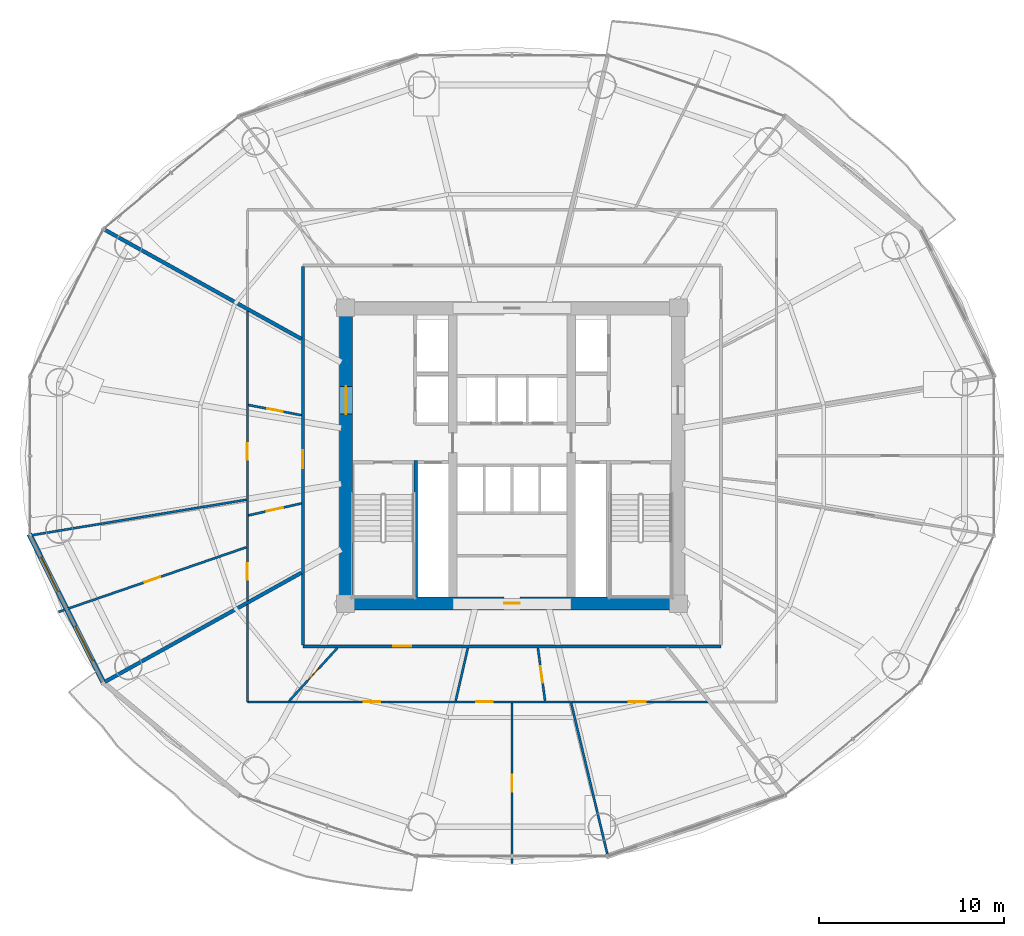
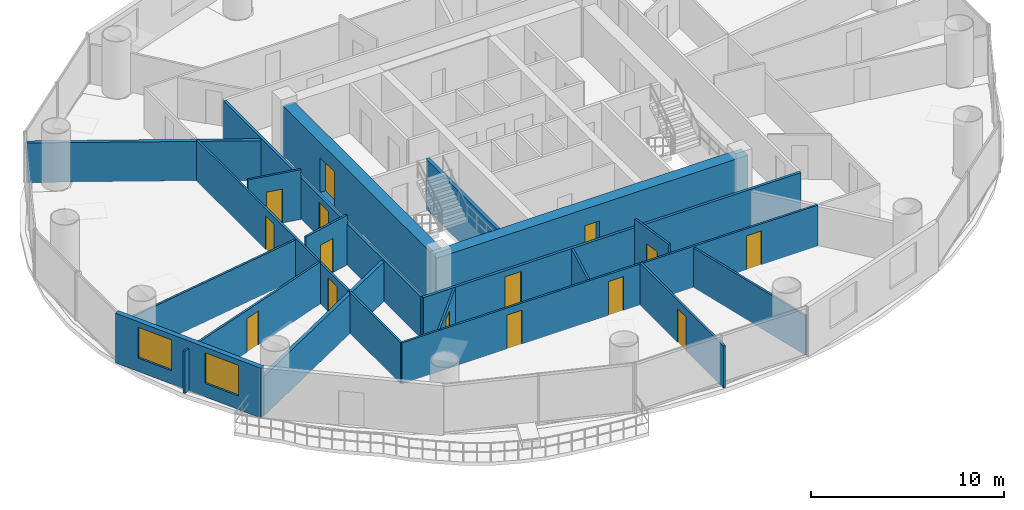
# One storey, part 22 of 29: 20 walls, 15 doors, 2 windows, 17 openings.
"""IFC4 building model written with IfcOpenShell, lengths in metres."""

from ifc_helpers import new_model, si_unit, direction, frame, frame_2d, origin, place, context, subcontext, project, spatial, rectangle, extrude, source, transform, mapped, material, layer, layer_set, type_object, element, fill, save


model = new_model("IFC4")

# Units and contexts
model_context = context("Model", 3, precision=1e-05, world=origin(), true_north=direction((-0.2419218956, 0.970295726276)))
body_context = subcontext(model_context, "Body", "Model", "MODEL_VIEW")
ifc_project = project(units=[si_unit("LENGTHUNIT", "METRE"), si_unit("AREAUNIT", "SQUARE_METRE"), si_unit("VOLUMEUNIT", "CUBIC_METRE"), si_unit("PLANEANGLEUNIT", "RADIAN"), si_unit("MASSUNIT", "GRAM", prefix="KILO")], contexts=[model_context])

# Site, building, storey
site_placement = place(None, origin())
site = spatial("IfcSite", under=ifc_project, at=site_placement, CompositionType="ELEMENT")
building_placement = place(site_placement, origin())
building = spatial("IfcBuilding", under=site, at=building_placement, Name="Cobrevalo Terracotta Tower", CompositionType="ELEMENT")
storey_placement = place(building_placement, frame((0.0, 0.0, 126.60009765625)))
storey = spatial("IfcBuildingStorey", under=building, at=storey_placement, Name="L33", CompositionType="ELEMENT", Elevation=126.60009765625)

# Wall, opening, door
ifc_material_1 = material(Name="Concrete C60", Category="concrete")
ifc_layer_1 = layer(ifc_material_1, 0.699951171875)
ifc_layer_set_1 = layer_set([ifc_layer_1], Name="Concrete C60")
wall_type_1 = type_object("IfcWallType", Name="Core shear wall 700 mm Concrete C60", PredefinedType="SHEAR", material=ifc_layer_set_1)
wall_1_placement = place(storey_placement, frame((28.675048828125, 18.824951171875, 0.0), z_axis=(0.0, 0.0, 1.0), x_axis=(1.0, 0.0, 0.0)))
wall_1 = element("IfcWall", 1, at=wall_1_placement, inside=storey, type_object=wall_type_1, Name="L33 south core shear wall", PredefinedType="SHEAR", context=body_context, shape_type="SweptSolid", body=[
    extrude(rectangle(XDim=18.64990234375, YDim=0.699951171875, at=frame_2d((9.324951171875, 0.0))), origin(), (0.0, 0.0, 1.0), 3.14990234375),
])
opening_1_placement = place(wall_1_placement, frame((8.89990234375, 0.0, 0.0)))
opening_1 = element("IfcOpeningElement", 2, at=opening_1_placement, cuts=wall_1, Name="Opening ID-22", PredefinedType="OPENING", context=body_context, shape_type="SweptSolid", body=[
    extrude(rectangle(XDim=0.85009765625, YDim=2.10009765625, at=frame_2d((0.425048828125, 1.050048828125))), frame((0.0, 0.35986328125, 0.0), z_axis=(0.0, -1.0, 0.0), x_axis=(1.0, 0.0, 0.0)), (0.0, 0.0, 1.0), 0.719970703125),
])
ifc_material_2 = material(Name="Powder-coated steel", Category="steel")
door_type_1 = type_object("IfcDoorType", Name="Riser shaft & meter closet fire access door 850x2100 EI 60", OperationType="NOTDEFINED", PredefinedType="DOOR", material=ifc_material_2)
shared_shape_1 = source(origin(), body_context, "Body", "SweptSolid", [
    extrude(rectangle(XDim=0.85009765625, YDim=2.10009765625, at=frame_2d((0.425048828125, 1.050048828125))), frame((0.0, 0.02490234375, 0.0), z_axis=(0.0, -1.0, 0.0), x_axis=(1.0, 0.0, 0.0)), (0.0, 0.0, 1.0), 0.050048828125),
])
door_1_placement = place(opening_1_placement, origin())
door_1 = element("IfcDoor", 3, at=door_1_placement, inside=storey, type_object=door_type_1, Name="L33 core south plant door Smoke Extract Fan Plant", OperationType="SINGLE_SWING_RIGHT", OverallHeight=2.10009765625, OverallWidth=0.85009765625, PredefinedType="DOOR", context=body_context, shape_type="MappedRepresentation", body=[
    mapped(shared_shape_1, transform((0.0, 0.0, 0.0), scale=1.0)),
])
fill(opening_1, door_1)

wall_2_placement = place(storey_placement, frame((29.02490234375, 19.175048828125, 0.0), z_axis=(0.0, 0.0, 1.0), x_axis=(0.0, 1.0, 0.0)))
wall_2 = element("IfcWall", 4, at=wall_2_placement, inside=storey, type_object=wall_type_1, Name="L33 west core shear wall", PredefinedType="SHEAR", context=body_context, shape_type="SweptSolid", body=[
    extrude(rectangle(XDim=15.25, YDim=0.699951171875, at=frame_2d((7.625, 0.0))), origin(), (0.0, 0.0, 1.0), 3.14990234375),
])
opening_2_placement = place(wall_2_placement, frame((9.875, 0.0, 0.0)))
opening_2 = element("IfcOpeningElement", 5, at=opening_2_placement, cuts=wall_2, Name="Opening ID-14", PredefinedType="OPENING", context=body_context, shape_type="SweptSolid", body=[
    extrude(rectangle(XDim=1.5, YDim=2.199951171875, at=frame_2d((0.75, 1.10009765625))), frame((0.0, 0.35986328125, 0.0), z_axis=(0.0, -1.0, 0.0), x_axis=(1.0, 0.0, 0.0)), (0.0, 0.0, 1.0), 0.719970703125),
])
ifc_material_3 = material(Name="Galvanized fire-rated steel", Category="steel")
door_type_2 = type_object("IfcDoorType", Name="Core cross-lobby double fire door 1500x2200 EI 90", OperationType="NOTDEFINED", PredefinedType="DOOR", material=ifc_material_3)
shared_shape_2 = source(origin(), body_context, "Body", "SweptSolid", [
    extrude(rectangle(XDim=1.5, YDim=2.199951171875, at=frame_2d((0.75, 1.10009765625))), frame((0.0, 0.02490234375, 0.0), z_axis=(0.0, -1.0, 0.0), x_axis=(1.0, 0.0, 0.0)), (0.0, 0.0, 1.0), 0.050048828125),
])
door_2_placement = place(opening_2_placement, origin())
door_2 = element("IfcDoor", 6, at=door_2_placement, inside=storey, type_object=door_type_2, Name="L33 west firefighting lobby entrance door", OperationType="DOUBLE_DOOR_SINGLE_SWING", OverallHeight=2.199951171875, OverallWidth=1.5, PredefinedType="DOOR", context=body_context, shape_type="MappedRepresentation", body=[
    mapped(shared_shape_2, transform((0.0, 0.0, 0.0), scale=1.0)),
])
fill(opening_2, door_2)

ifc_material_4 = material(Name="Gypsum board on steel stud", Category="steel")
ifc_layer_2 = layer(ifc_material_4, 0.159912109375)
ifc_layer_set_2 = layer_set([ifc_layer_2], Name="Gypsum board on steel stud")
wall_type_2 = type_object("IfcWallType", Name="Fire-rated corridor acoustic partition wall 160 mm", PredefinedType="PARTITIONING", material=ifc_layer_set_2)
wall_3_placement = place(storey_placement, frame((26.695068359375, 16.4951171875, 0.0), z_axis=(0.0, 0.0, 1.0), x_axis=(1.0, 0.0, 0.0)))
wall_3 = element("IfcWall", 7, at=wall_3_placement, inside=storey, type_object=wall_type_2, Name="L33 interior partition IW-L33-COR-S", PredefinedType="PARTITIONING", context=body_context, shape_type="SweptSolid", body=[
    extrude(rectangle(XDim=22.60986328125, YDim=0.159912109375, at=frame_2d((11.304931640625, 0.0))), origin(), (0.0, 0.0, 1.0), 2.595947265625),
])
opening_3_placement = place(wall_3_placement, frame((4.88330078125, 0.0, 0.0)))
opening_3 = element("IfcOpeningElement", 8, at=opening_3_placement, cuts=wall_3, Name="Opening ID-05", PredefinedType="OPENING", context=body_context, shape_type="SweptSolid", body=[
    extrude(rectangle(XDim=0.97998046875, YDim=2.199951171875, at=frame_2d((0.489990234375, 1.10009765625))), frame((0.0, 0.08984375, 0.0), z_axis=(0.0, -1.0, 0.0), x_axis=(1.0, 0.0, 0.0)), (0.0, 0.0, 1.0), 0.179931640625),
])
ifc_material_5 = material(Name="Solid hardwood timber", Category="wood")
door_type_3 = type_object("IfcDoorType", Name="Residence entrance fire-rated acoustic timber door 980x2200 EI 60", OperationType="NOTDEFINED", PredefinedType="DOOR", material=ifc_material_5)
shared_shape_3 = source(origin(), body_context, "Body", "SweptSolid", [
    extrude(rectangle(XDim=0.97998046875, YDim=2.199951171875, at=frame_2d((0.489990234375, 1.10009765625))), frame((0.0, 0.02490234375, 0.0), z_axis=(0.0, -1.0, 0.0), x_axis=(1.0, 0.0, 0.0)), (0.0, 0.0, 1.0), 0.050048828125),
])
door_3_placement = place(opening_3_placement, frame((0.97998046875, 0.0, 0.0), z_axis=(0.0, 0.0, 1.0), x_axis=(-1.0, 0.0, 0.0)))
door_3 = element("IfcDoor", 9, at=door_3_placement, inside=storey, type_object=door_type_3, Name="Flat L33D fire-rated apartment entrance door", OperationType="SINGLE_SWING_RIGHT", OverallHeight=2.199951171875, OverallWidth=0.97998046875, PredefinedType="DOOR", context=body_context, shape_type="MappedRepresentation", body=[
    mapped(shared_shape_3, transform((0.0, 0.0, 0.0), scale=1.0)),
])
fill(opening_3, door_3)

wall_4_placement = place(storey_placement, frame((26.695068359375, 16.574951171875, 0.0), z_axis=(0.0, 0.0, 1.0), x_axis=(0.0, 1.0, 0.0)))
wall_4 = element("IfcWall", 10, at=wall_4_placement, inside=storey, type_object=wall_type_2, Name="L33 interior partition IW-L33-COR-W", PredefinedType="PARTITIONING", context=body_context, shape_type="SweptSolid", body=[
    extrude(rectangle(XDim=20.449951171875, YDim=0.159912109375, at=frame_2d((10.22509765625, 0.0))), origin(), (0.0, 0.0, 1.0), 2.595947265625),
])
opening_4_placement = place(wall_4_placement, frame((9.54736328125, 0.0, 0.0)))
opening_4 = element("IfcOpeningElement", 11, at=opening_4_placement, cuts=wall_4, Name="Opening ID-05", PredefinedType="OPENING", context=body_context, shape_type="SweptSolid", body=[
    extrude(rectangle(XDim=0.97998046875, YDim=2.199951171875, at=frame_2d((0.489990234375, 1.10009765625))), frame((0.0, 0.08984375, 0.0), z_axis=(0.0, -1.0, 0.0), x_axis=(1.0, 0.0, 0.0)), (0.0, 0.0, 1.0), 0.179931640625),
])
door_4_placement = place(opening_4_placement, origin())
door_4 = element("IfcDoor", 12, at=door_4_placement, inside=storey, type_object=door_type_3, Name="Flat L33C fire-rated apartment entrance door", OperationType="SINGLE_SWING_RIGHT", OverallHeight=2.199951171875, OverallWidth=0.97998046875, PredefinedType="DOOR", context=body_context, shape_type="MappedRepresentation", body=[
    mapped(shared_shape_3, transform((0.0, 0.0, 0.0), scale=1.0)),
])
fill(opening_4, door_4)

# Walls
ifc_material_6 = material(Name="Autoclaved aerated concrete block", Category="concrete")
ifc_layer_3 = layer(ifc_material_6, 0.199951171875)
ifc_layer_set_3 = layer_set([ifc_layer_3], Name="Autoclaved aerated concrete block")
wall_type_3 = type_object("IfcWallType", Name="Fire-rated stair, shaft & demising masonry wall 200 mm", PredefinedType="PARTITIONING", material=ifc_layer_set_3)
wall_5_placement = place(storey_placement, frame((26.614990234375, 33.120361328125, 0.0), z_axis=(0.0, 0.0, 1.0), x_axis=(-0.874319192772, 0.485351366692, 0.0)))
element("IfcWall", 13, at=wall_5_placement, inside=storey, type_object=wall_type_3, Name="L33 interior partition IW-L33-DEM-3", PredefinedType="PARTITIONING", context=body_context, shape_type="SweptSolid", body=[
    extrude(rectangle(XDim=12.158447265625, YDim=0.199951171875, at=frame_2d((6.0791015625, 0.0))), origin(), (0.0, 0.0, 1.0), 2.5),
])
wall_6_placement = place(storey_placement, frame((26.614990234375, 20.479736328125, 0.0), z_axis=(0.0, 0.0, 1.0), x_axis=(-0.874310671773, -0.48536671623, 0.0)))
element("IfcWall", 14, at=wall_6_placement, inside=storey, type_object=wall_type_3, Name="L33 interior partition IW-L33-DEM-4", PredefinedType="PARTITIONING", context=body_context, shape_type="SweptSolid", body=[
    extrude(rectangle(XDim=12.15869140625, YDim=0.199951171875, at=frame_2d((6.079345703125, 0.0))), origin(), (0.0, 0.0, 1.0), 2.5),
])

# Wall, openings, windows
ifc_layer_4 = layer(ifc_material_6, 0.280029296875)
ifc_layer_set_4 = layer_set([ifc_layer_4], Name="Autoclaved aerated concrete block")
wall_type_4 = type_object("IfcWallType", Name="Insulated tower spandrel & pier wall 280 mm with terracotta rainscreen", PredefinedType="SOLIDWALL", material=ifc_layer_set_4)
wall_7_placement = place(storey_placement, frame((11.90478515625, 22.56591796875, 0.0), z_axis=(0.0, 0.0, 1.0), x_axis=(0.446274562077, -0.894896091869, 0.0)))
wall_7 = element("IfcWall", 15, at=wall_7_placement, inside=storey, type_object=wall_type_4, Name="L33 terracotta rainscreen pier wall S09", PredefinedType="SOLIDWALL", context=body_context, shape_type="SweptSolid", body=[
    extrude(rectangle(XDim=9.050048828125, YDim=0.280029296875, at=frame_2d((4.52490234375, 0.0))), origin(), (0.0, 0.0, 1.0), 3.14990234375),
])
opening_5_placement = place(wall_7_placement, frame((1.3935546875, 0.0, 0.85009765625)))
opening_5 = element("IfcOpeningElement", 16, at=opening_5_placement, cuts=wall_7, Name="Opening WN-10", PredefinedType="OPENING", context=body_context, shape_type="SweptSolid", body=[
    extrude(rectangle(XDim=2.10009765625, YDim=1.949951171875, at=frame_2d((1.050048828125, 0.97509765625))), frame((0.0, 0.14990234375, 0.0), z_axis=(0.0, -1.0, 0.0), x_axis=(1.0, 0.0, 0.0)), (0.0, 0.0, 1.0), 0.300048828125),
])
opening_6_placement = place(wall_7_placement, frame((5.556640625, 0.0, 0.85009765625)))
opening_6 = element("IfcOpeningElement", 17, at=opening_6_placement, cuts=wall_7, Name="Opening WN-10", PredefinedType="OPENING", context=body_context, shape_type="SweptSolid", body=[
    extrude(rectangle(XDim=2.10009765625, YDim=1.949951171875, at=frame_2d((1.050048828125, 0.97509765625))), frame((0.0, 0.14990234375, 0.0), z_axis=(0.0, -1.0, 0.0), x_axis=(1.0, 0.0, 0.0)), (0.0, 0.0, 1.0), 0.300048828125),
])
ifc_material_7 = material(Name="Solar-control low-E double glazing", Category="glass")
window_type = type_object("IfcWindowType", Name="Wide panoramic low-E aluminium window 2100x1950", PartitioningType="SINGLE_PANEL", PredefinedType="WINDOW", material=ifc_material_7)
shared_shape_4 = source(origin(), body_context, "Body", "SweptSolid", [
    extrude(rectangle(XDim=2.10009765625, YDim=1.949951171875, at=frame_2d((1.050048828125, 0.97509765625))), frame((0.0, 0.030029296875, 0.0), z_axis=(0.0, -1.0, 0.0), x_axis=(1.0, 0.0, 0.0)), (0.0, 0.0, 1.0), 0.06005859375),
])
window_1_placement = place(opening_5_placement, origin())
window_1 = element("IfcWindow", 18, at=window_1_placement, inside=storey, type_object=window_type, Name="L33 suite window S09A", OverallHeight=1.949951171875, OverallWidth=2.10009765625, PartitioningType="SINGLE_PANEL", PredefinedType="WINDOW", context=body_context, shape_type="MappedRepresentation", body=[
    mapped(shared_shape_4, transform((0.0, 0.0, 0.0), scale=1.0)),
])
fill(opening_5, window_1)
window_2_placement = place(opening_6_placement, origin())
window_2 = element("IfcWindow", 19, at=window_2_placement, inside=storey, type_object=window_type, Name="L33 suite window S09B", OverallHeight=1.949951171875, OverallWidth=2.10009765625, PartitioningType="SINGLE_PANEL", PredefinedType="WINDOW", context=body_context, shape_type="MappedRepresentation", body=[
    mapped(shared_shape_4, transform((0.0, 0.0, 0.0), scale=1.0)),
])
fill(opening_6, window_2)

# Wall, openings, doors
ifc_layer_5 = layer(ifc_material_4, 0.1201171875)
ifc_layer_set_5 = layer_set([ifc_layer_5], Name="Gypsum board on steel stud")
wall_type_5 = type_object("IfcWallType", Name="Residential internal acoustic stud partition 120 mm", PredefinedType="PARTITIONING", material=ifc_layer_set_5)
wall_8_placement = place(storey_placement, frame((23.695068359375, 18.960693359375, 0.0), z_axis=(0.0, 0.0, 1.0), x_axis=(0.0, 1.0, 0.0)))
wall_8 = element("IfcWall", 20, at=wall_8_placement, inside=storey, type_object=wall_type_5, Name="L33 interior partition IW-L33-U3-RING0_0", PredefinedType="PARTITIONING", context=body_context, shape_type="SweptSolid", body=[
    extrude(rectangle(XDim=15.6787109375, YDim=0.1201171875, at=frame_2d((7.83935546875, 0.0))), origin(), (0.0, 0.0, 1.0), 2.595947265625),
])
opening_7_placement = place(wall_8_placement, frame((7.62548828125, 0.0, 0.0)))
opening_7 = element("IfcOpeningElement", 21, at=opening_7_placement, cuts=wall_8, Name="Opening ID-12", PredefinedType="OPENING", context=body_context, shape_type="SweptSolid", body=[
    extrude(rectangle(XDim=0.89990234375, YDim=2.14990234375, at=frame_2d((0.449951171875, 1.074951171875))), frame((0.0, 0.070068359375, 0.0), z_axis=(0.0, -1.0, 0.0), x_axis=(1.0, 0.0, 0.0)), (0.0, 0.0, 1.0), 0.14013671875),
])
opening_8_placement = place(wall_8_placement, frame((1.128173828125, 0.0, 0.0)))
opening_8 = element("IfcOpeningElement", 22, at=opening_8_placement, cuts=wall_8, Name="Opening ID-12", PredefinedType="OPENING", context=body_context, shape_type="SweptSolid", body=[
    extrude(rectangle(XDim=0.89990234375, YDim=2.14990234375, at=frame_2d((0.449951171875, 1.074951171875))), frame((0.0, 0.070068359375, 0.0), z_axis=(0.0, -1.0, 0.0), x_axis=(1.0, 0.0, 0.0)), (0.0, 0.0, 1.0), 0.14013671875),
])
ifc_material_8 = material(Name="Engineered timber", Category="wood")
door_type_4 = type_object("IfcDoorType", Name="Internal residence & suite timber door 900x2150", OperationType="NOTDEFINED", PredefinedType="DOOR", material=ifc_material_8)
shared_shape_5 = source(origin(), body_context, "Body", "SweptSolid", [
    extrude(rectangle(XDim=0.89990234375, YDim=2.14990234375, at=frame_2d((0.449951171875, 1.074951171875))), frame((0.0, 0.02490234375, 0.0), z_axis=(0.0, -1.0, 0.0), x_axis=(1.0, 0.0, 0.0)), (0.0, 0.0, 1.0), 0.050048828125),
])
door_5_placement = place(opening_7_placement, origin())
door_5 = element("IfcDoor", 23, at=door_5_placement, inside=storey, type_object=door_type_4, Name="Flat L33C Penthouse Living and Dining Room internal door", OperationType="SINGLE_SWING_RIGHT", OverallHeight=2.14990234375, OverallWidth=0.89990234375, PredefinedType="DOOR", context=body_context, shape_type="MappedRepresentation", body=[
    mapped(shared_shape_5, transform((0.0, 0.0, 0.0), scale=1.0)),
])
fill(opening_7, door_5)
door_6_placement = place(opening_8_placement, origin())
door_6 = element("IfcDoor", 24, at=door_6_placement, inside=storey, type_object=door_type_4, Name="Flat L33C Penthouse Family Lounge internal door", OperationType="SINGLE_SWING_RIGHT", OverallHeight=2.14990234375, OverallWidth=0.89990234375, PredefinedType="DOOR", context=body_context, shape_type="MappedRepresentation", body=[
    mapped(shared_shape_5, transform((0.0, 0.0, 0.0), scale=1.0)),
])
fill(opening_8, door_6)

# Wall
wall_9_placement = place(storey_placement, frame((23.6337890625, 24.42578125, 0.0), z_axis=(0.0, 0.0, 1.0), x_axis=(-0.986619012175, -0.163042708564, 0.0)))
element("IfcWall", 25, at=wall_9_placement, inside=storey, type_object=wall_type_5, Name="L33 interior partition IW-L33-U3-ORAD1", PredefinedType="PARTITIONING", context=body_context, shape_type="SweptSolid", body=[
    extrude(rectangle(XDim=11.76513671875, YDim=0.1201171875, at=frame_2d((5.882568359375, 0.0))), origin(), (0.0, 0.0, 1.0), 2.5),
])

# Wall, opening, door
wall_10_placement = place(storey_placement, frame((23.636474609375, 21.85693359375, 0.0), z_axis=(0.0, 0.0, 1.0), x_axis=(-0.945571197348, -0.325415289661, 0.0)))
wall_10 = element("IfcWall", 26, at=wall_10_placement, inside=storey, type_object=wall_type_5, Name="L33 interior partition IW-L33-U3-ORAD2M1", PredefinedType="PARTITIONING", context=body_context, shape_type="SweptSolid", body=[
    extrude(rectangle(XDim=10.73681640625, YDim=0.1201171875, at=frame_2d((5.368408203125, 0.0))), origin(), (0.0, 0.0, 1.0), 2.666015625),
])
opening_9_placement = place(wall_10_placement, frame((4.918212890625, 0.0, 0.0)))
opening_9 = element("IfcOpeningElement", 27, at=opening_9_placement, cuts=wall_10, Name="Opening ID-12", PredefinedType="OPENING", context=body_context, shape_type="SweptSolid", body=[
    extrude(rectangle(XDim=0.89990234375, YDim=2.14990234375, at=frame_2d((0.449951171875, 1.074951171875))), frame((0.0, 0.070068359375, 0.0), z_axis=(0.0, -1.0, 0.0), x_axis=(1.0, 0.0, 0.0)), (0.0, 0.0, 1.0), 0.14013671875),
])
door_7_placement = place(opening_9_placement, frame((0.89990234375, 0.0, 0.0), z_axis=(0.0, 0.0, 1.0), x_axis=(-1.0, 0.0, 0.0)))
door_7 = element("IfcDoor", 28, at=door_7_placement, inside=storey, type_object=door_type_4, Name="Flat L33C Master Bedroom internal door", OperationType="SINGLE_SWING_LEFT", OverallHeight=2.14990234375, OverallWidth=0.89990234375, PredefinedType="DOOR", context=body_context, shape_type="MappedRepresentation", body=[
    mapped(shared_shape_5, transform((0.0, 0.0, 0.0), scale=1.0)),
])
fill(opening_9, door_7)

wall_11_placement = place(storey_placement, frame((26.614990234375, 28.996337890625, 0.0), z_axis=(0.0, 0.0, 1.0), x_axis=(-0.98189924136, 0.189404012145, 0.0)))
wall_11 = element("IfcWall", 29, at=wall_11_placement, inside=storey, type_object=wall_type_5, Name="L33 interior partition IW-L33-U3-IRAD1", PredefinedType="PARTITIONING", context=body_context, shape_type="SweptSolid", body=[
    extrude(rectangle(XDim=2.911865234375, YDim=0.1201171875, at=frame_2d((1.4560546875, 0.0))), origin(), (0.0, 0.0, 1.0), 3.14990234375),
])
opening_10_placement = place(wall_11_placement, frame((1.02587890625, 0.0, 0.0)))
opening_10 = element("IfcOpeningElement", 30, at=opening_10_placement, cuts=wall_11, Name="Opening ID-19", PredefinedType="OPENING", context=body_context, shape_type="SweptSolid", body=[
    extrude(rectangle(XDim=0.860107421875, YDim=2.14990234375, at=frame_2d((0.43017578125, 1.074951171875))), frame((0.0, 0.070068359375, 0.0), z_axis=(0.0, -1.0, 0.0), x_axis=(1.0, 0.0, 0.0)), (0.0, 0.0, 1.0), 0.14013671875),
])
ifc_material_9 = material(Name="Moisture-sealed timber", Category="wood")
door_type_5 = type_object("IfcDoorType", Name="Suite bathroom internal timber door 860x2150", OperationType="NOTDEFINED", PredefinedType="DOOR", material=ifc_material_9)
shared_shape_6 = source(origin(), body_context, "Body", "SweptSolid", [
    extrude(rectangle(XDim=0.860107421875, YDim=2.14990234375, at=frame_2d((0.43017578125, 1.074951171875))), frame((0.0, 0.02490234375, 0.0), z_axis=(0.0, -1.0, 0.0), x_axis=(1.0, 0.0, 0.0)), (0.0, 0.0, 1.0), 0.050048828125),
])
door_8_placement = place(opening_10_placement, frame((0.860107421875, 0.0, 0.0), z_axis=(0.0, 0.0, 1.0), x_axis=(-1.0, 0.0, 0.0)))
door_8 = element("IfcDoor", 31, at=door_8_placement, inside=storey, type_object=door_type_5, Name="Flat L33C Primary Bathroom internal door", OperationType="SINGLE_SWING_LEFT", OverallHeight=2.14990234375, OverallWidth=0.860107421875, PredefinedType="DOOR", context=body_context, shape_type="MappedRepresentation", body=[
    mapped(shared_shape_6, transform((0.0, 0.0, 0.0), scale=1.0)),
])
fill(opening_10, door_8)

wall_12_placement = place(storey_placement, frame((26.614990234375, 24.22802734375, 0.0), z_axis=(0.0, 0.0, 1.0), x_axis=(-0.975420797165, -0.220350331196, 0.0)))
wall_12 = element("IfcWall", 32, at=wall_12_placement, inside=storey, type_object=wall_type_5, Name="L33 interior partition IW-L33-U3-IRAD2", PredefinedType="PARTITIONING", context=body_context, shape_type="SweptSolid", body=[
    extrude(rectangle(XDim=2.931640625, YDim=0.1201171875, at=frame_2d((1.4658203125, 0.0))), origin(), (0.0, 0.0, 1.0), 3.14990234375),
])
opening_11_placement = place(wall_12_placement, frame((1.015869140625, 0.0, 0.0)))
opening_11 = element("IfcOpeningElement", 33, at=opening_11_placement, cuts=wall_12, Name="Opening ID-12", PredefinedType="OPENING", context=body_context, shape_type="SweptSolid", body=[
    extrude(rectangle(XDim=0.89990234375, YDim=2.14990234375, at=frame_2d((0.449951171875, 1.074951171875))), frame((0.0, 0.070068359375, 0.0), z_axis=(0.0, -1.0, 0.0), x_axis=(1.0, 0.0, 0.0)), (0.0, 0.0, 1.0), 0.14013671875),
])
door_9_placement = place(opening_11_placement, origin())
door_9 = element("IfcDoor", 34, at=door_9_placement, inside=storey, type_object=door_type_4, Name="Flat L33C Kitchen internal door", OperationType="SINGLE_SWING_LEFT", OverallHeight=2.14990234375, OverallWidth=0.89990234375, PredefinedType="DOOR", context=body_context, shape_type="MappedRepresentation", body=[
    mapped(shared_shape_5, transform((0.0, 0.0, 0.0), scale=1.0)),
])
fill(opening_11, door_9)

# Wall, openings, doors
wall_13_placement = place(storey_placement, frame((48.598388671875, 13.4951171875, 0.0), z_axis=(0.0, 0.0, 1.0), x_axis=(-1.0, 0.0, 0.0)))
wall_13 = element("IfcWall", 35, at=wall_13_placement, inside=storey, type_object=wall_type_5, Name="L33 interior partition IW-L33-U4-RING0_0", PredefinedType="PARTITIONING", context=body_context, shape_type="SweptSolid", body=[
    extrude(rectangle(XDim=24.9033203125, YDim=0.1201171875, at=frame_2d((12.45166015625, 0.0))), origin(), (0.0, 0.0, 1.0), 2.595947265625),
])
opening_12_placement = place(wall_13_placement, frame((17.720458984375, 0.0, 0.0)))
opening_12 = element("IfcOpeningElement", 36, at=opening_12_placement, cuts=wall_13, Name="Opening ID-12", PredefinedType="OPENING", context=body_context, shape_type="SweptSolid", body=[
    extrude(rectangle(XDim=0.89990234375, YDim=2.14990234375, at=frame_2d((0.449951171875, 1.074951171875))), frame((0.0, 0.070068359375, 0.0), z_axis=(0.0, -1.0, 0.0), x_axis=(1.0, 0.0, 0.0)), (0.0, 0.0, 1.0), 0.14013671875),
])
opening_13_placement = place(wall_13_placement, frame((11.636962890625, 0.0, 0.0)))
opening_13 = element("IfcOpeningElement", 37, at=opening_13_placement, cuts=wall_13, Name="Opening ID-12", PredefinedType="OPENING", context=body_context, shape_type="SweptSolid", body=[
    extrude(rectangle(XDim=0.89990234375, YDim=2.14990234375, at=frame_2d((0.449951171875, 1.074951171875))), frame((0.0, 0.070068359375, 0.0), z_axis=(0.0, -1.0, 0.0), x_axis=(1.0, 0.0, 0.0)), (0.0, 0.0, 1.0), 0.14013671875),
])
opening_14_placement = place(wall_13_placement, frame((3.376220703125, 0.0, 0.0)))
opening_14 = element("IfcOpeningElement", 38, at=opening_14_placement, cuts=wall_13, Name="Opening ID-12", PredefinedType="OPENING", context=body_context, shape_type="SweptSolid", body=[
    extrude(rectangle(XDim=0.89990234375, YDim=2.14990234375, at=frame_2d((0.449951171875, 1.074951171875))), frame((0.0, 0.070068359375, 0.0), z_axis=(0.0, -1.0, 0.0), x_axis=(1.0, 0.0, 0.0)), (0.0, 0.0, 1.0), 0.14013671875),
])
door_10_placement = place(opening_12_placement, origin())
door_10 = element("IfcDoor", 39, at=door_10_placement, inside=storey, type_object=door_type_4, Name="Flat L33D Penthouse Living and Dining Room internal door", OperationType="SINGLE_SWING_RIGHT", OverallHeight=2.14990234375, OverallWidth=0.89990234375, PredefinedType="DOOR", context=body_context, shape_type="MappedRepresentation", body=[
    mapped(shared_shape_5, transform((0.0, 0.0, 0.0), scale=1.0)),
])
fill(opening_12, door_10)
door_11_placement = place(opening_13_placement, frame((0.89990234375, 0.0, 0.0), z_axis=(0.0, 0.0, 1.0), x_axis=(-1.0, 0.0, 0.0)))
door_11 = element("IfcDoor", 40, at=door_11_placement, inside=storey, type_object=door_type_4, Name="Flat L33D Kitchen internal door", OperationType="SINGLE_SWING_LEFT", OverallHeight=2.14990234375, OverallWidth=0.89990234375, PredefinedType="DOOR", context=body_context, shape_type="MappedRepresentation", body=[
    mapped(shared_shape_5, transform((0.0, 0.0, 0.0), scale=1.0)),
])
fill(opening_13, door_11)
door_12_placement = place(opening_14_placement, origin())
door_12 = element("IfcDoor", 41, at=door_12_placement, inside=storey, type_object=door_type_4, Name="Flat L33D Penthouse Family Lounge internal door", OperationType="SINGLE_SWING_RIGHT", OverallHeight=2.14990234375, OverallWidth=0.89990234375, PredefinedType="DOOR", context=body_context, shape_type="MappedRepresentation", body=[
    mapped(shared_shape_5, transform((0.0, 0.0, 0.0), scale=1.0)),
])
fill(opening_14, door_12)

# Wall
wall_14_placement = place(storey_placement, frame((23.695068359375, 13.4951171875, 0.0), z_axis=(0.0, 0.0, 1.0), x_axis=(0.0, 1.0, 0.0)))
element("IfcWall", 42, at=wall_14_placement, inside=storey, type_object=wall_type_5, Name="L33 interior partition IW-L33-U4-RING1_0", PredefinedType="PARTITIONING", context=body_context, shape_type="SweptSolid", body=[
    extrude(rectangle(XDim=5.261474609375, YDim=0.1201171875, at=frame_2d((2.630859375, 0.0))), origin(), (0.0, 0.0, 1.0), 2.595947265625),
])

# Wall, opening, door
wall_15_placement = place(storey_placement, frame((38.0, 13.43310546875, 0.0), z_axis=(0.0, 0.0, 1.0), x_axis=(0.0, -1.0, 0.0)))
wall_15 = element("IfcWall", 43, at=wall_15_placement, inside=storey, type_object=wall_type_5, Name="L33 interior partition IW-L33-U4-ORAD1", PredefinedType="PARTITIONING", context=body_context, shape_type="SweptSolid", body=[
    extrude(rectangle(XDim=8.673095703125, YDim=0.1201171875, at=frame_2d((4.33642578125, 0.0))), origin(), (0.0, 0.0, 1.0), 2.666015625),
])
opening_15_placement = place(wall_15_placement, frame((3.886474609375, 0.0, 0.0)))
opening_15 = element("IfcOpeningElement", 44, at=opening_15_placement, cuts=wall_15, Name="Opening ID-12", PredefinedType="OPENING", context=body_context, shape_type="SweptSolid", body=[
    extrude(rectangle(XDim=0.89990234375, YDim=2.14990234375, at=frame_2d((0.449951171875, 1.074951171875))), frame((0.0, 0.070068359375, 0.0), z_axis=(0.0, -1.0, 0.0), x_axis=(1.0, 0.0, 0.0)), (0.0, 0.0, 1.0), 0.14013671875),
])
door_13_placement = place(opening_15_placement, origin())
door_13 = element("IfcDoor", 45, at=door_13_placement, inside=storey, type_object=door_type_4, Name="Flat L33D Master Bedroom internal door", OperationType="SINGLE_SWING_LEFT", OverallHeight=2.14990234375, OverallWidth=0.89990234375, PredefinedType="DOOR", context=body_context, shape_type="MappedRepresentation", body=[
    mapped(shared_shape_5, transform((0.0, 0.0, 0.0), scale=1.0)),
])
fill(opening_15, door_13)

# Wall
wall_16_placement = place(storey_placement, frame((41.199951171875, 13.434814453125, 0.0), z_axis=(0.0, 0.0, 1.0), x_axis=(0.232814779051, -0.972521094196, 0.0)))
element("IfcWall", 46, at=wall_16_placement, inside=storey, type_object=wall_type_5, Name="L33 interior partition IW-L33-U4-ORAD2M1", PredefinedType="PARTITIONING", context=body_context, shape_type="SweptSolid", body=[
    extrude(rectangle(XDim=8.4375, YDim=0.1201171875, at=frame_2d((4.21875, 0.0))), origin(), (0.0, 0.0, 1.0), 2.5),
])

# Wall, opening, door
wall_17_placement = place(storey_placement, frame((28.560791015625, 16.4150390625, 0.0), z_axis=(0.0, 0.0, 1.0), x_axis=(-0.672578928456, -0.740025394833, 0.0)))
wall_17 = element("IfcWall", 47, at=wall_17_placement, inside=storey, type_object=wall_type_5, Name="L33 interior partition IW-L33-U4-IRAD1", PredefinedType="PARTITIONING", context=body_context, shape_type="SweptSolid", body=[
    extrude(rectangle(XDim=3.884033203125, YDim=0.1201171875, at=frame_2d((1.94189453125, 0.0))), origin(), (0.0, 0.0, 1.0), 2.595947265625),
])
opening_16_placement = place(wall_17_placement, frame((1.511962890625, 0.0, 0.0)))
opening_16 = element("IfcOpeningElement", 48, at=opening_16_placement, cuts=wall_17, Name="Opening ID-19", PredefinedType="OPENING", context=body_context, shape_type="SweptSolid", body=[
    extrude(rectangle(XDim=0.860107421875, YDim=2.14990234375, at=frame_2d((0.43017578125, 1.074951171875))), frame((0.0, 0.070068359375, 0.0), z_axis=(0.0, -1.0, 0.0), x_axis=(1.0, 0.0, 0.0)), (0.0, 0.0, 1.0), 0.14013671875),
])
door_14_placement = place(opening_16_placement, frame((0.860107421875, 0.0, 0.0), z_axis=(0.0, 0.0, 1.0), x_axis=(-1.0, 0.0, 0.0)))
door_14 = element("IfcDoor", 49, at=door_14_placement, inside=storey, type_object=door_type_5, Name="Flat L33D Primary Bathroom internal door", OperationType="SINGLE_SWING_LEFT", OverallHeight=2.14990234375, OverallWidth=0.860107421875, PredefinedType="DOOR", context=body_context, shape_type="MappedRepresentation", body=[
    mapped(shared_shape_6, transform((0.0, 0.0, 0.0), scale=1.0)),
])
fill(opening_16, door_14)

# Wall
wall_18_placement = place(storey_placement, frame((35.613525390625, 16.4150390625, 0.0), z_axis=(0.0, 0.0, 1.0), x_axis=(-0.223911395669, -0.974609504822, 0.0)))
element("IfcWall", 50, at=wall_18_placement, inside=storey, type_object=wall_type_5, Name="L33 interior partition IW-L33-U4-IRAD2", PredefinedType="PARTITIONING", context=body_context, shape_type="SweptSolid", body=[
    extrude(rectangle(XDim=2.93408203125, YDim=0.1201171875, at=frame_2d((1.467041015625, 0.0))), origin(), (0.0, 0.0, 1.0), 2.595947265625),
])

# Wall, opening, door
wall_19_placement = place(storey_placement, frame((39.4013671875, 16.4150390625, 0.0), z_axis=(0.0, 0.0, 1.0), x_axis=(0.133726943496, -0.99101821607, 0.0)))
wall_19 = element("IfcWall", 51, at=wall_19_placement, inside=storey, type_object=wall_type_5, Name="L33 interior partition IW-L33-U4-IRAD3", PredefinedType="PARTITIONING", context=body_context, shape_type="SweptSolid", body=[
    extrude(rectangle(XDim=2.884521484375, YDim=0.1201171875, at=frame_2d((1.4423828125, 0.0))), origin(), (0.0, 0.0, 1.0), 3.14990234375),
])
opening_17_placement = place(wall_19_placement, frame((0.9921875, 0.0, 0.0)))
opening_17 = element("IfcOpeningElement", 52, at=opening_17_placement, cuts=wall_19, Name="Opening ID-12", PredefinedType="OPENING", context=body_context, shape_type="SweptSolid", body=[
    extrude(rectangle(XDim=0.89990234375, YDim=2.14990234375, at=frame_2d((0.449951171875, 1.074951171875))), frame((0.0, 0.070068359375, 0.0), z_axis=(0.0, -1.0, 0.0), x_axis=(1.0, 0.0, 0.0)), (0.0, 0.0, 1.0), 0.14013671875),
])
door_15_placement = place(opening_17_placement, origin())
door_15 = element("IfcDoor", 53, at=door_15_placement, inside=storey, type_object=door_type_4, Name="Flat L33D Private Wellness Room internal door", OperationType="SINGLE_SWING_RIGHT", OverallHeight=2.14990234375, OverallWidth=0.89990234375, PredefinedType="DOOR", context=body_context, shape_type="MappedRepresentation", body=[
    mapped(shared_shape_5, transform((0.0, 0.0, 0.0), scale=1.0)),
])
fill(opening_17, door_15)

# Wall
ifc_material_10 = material(Name="Concrete C50", Category="concrete")
ifc_layer_6 = layer(ifc_material_10, 0.199951171875)
ifc_layer_set_6 = layer_set([ifc_layer_6], Name="Concrete C50")
wall_type_6 = type_object("IfcWallType", Name="Structural core & podium stair-shaft RC wall 200 mm Concrete C50", PredefinedType="SOLIDWALL", material=ifc_layer_set_6)
wall_20_placement = place(storey_placement, frame((32.794921875, 19.175048828125, 0.0), z_axis=(0.0, 0.0, 1.0), x_axis=(0.0, 1.0, 0.0)))
element("IfcWall", 54, at=wall_20_placement, inside=storey, type_object=wall_type_6, Name="L33 ST-1 east structural shaft wall", PredefinedType="SOLIDWALL", context=body_context, shape_type="SweptSolid", body=[
    extrude(rectangle(XDim=7.375, YDim=0.199951171875, at=frame_2d((3.6875, 0.0))), origin(), (0.0, 0.0, 1.0), 3.14990234375),
])

save(model, "model.ifc")
